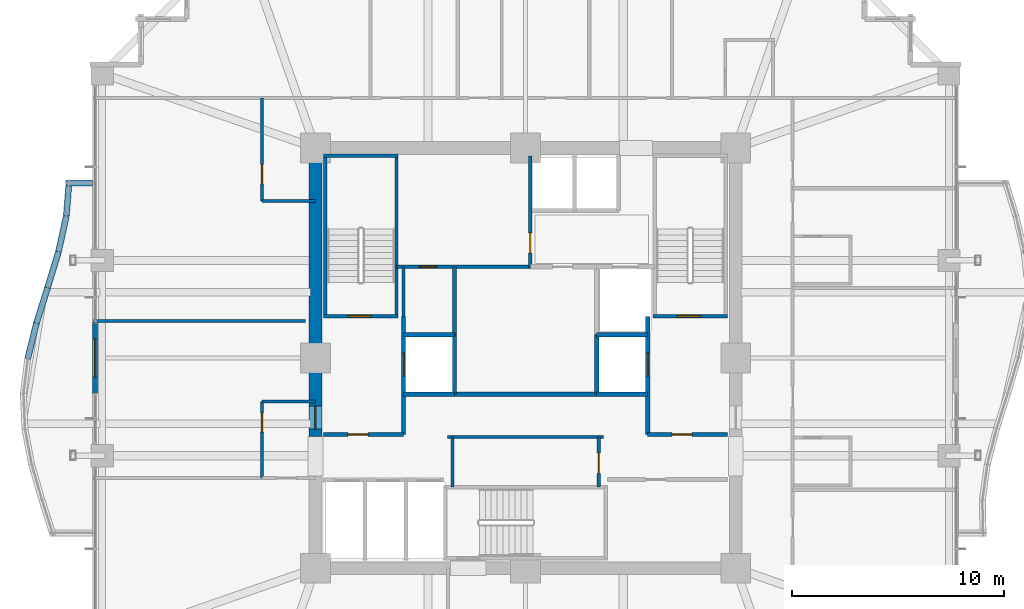
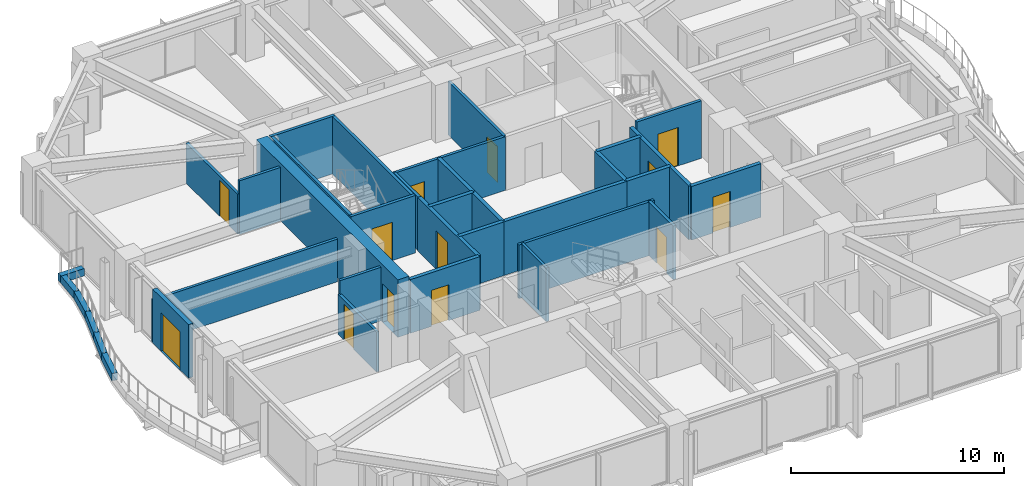
# One storey, part 32 of 37: 36 walls, 13 doors, 13 openings.
"""IFC4 building model written with IfcOpenShell, lengths in metres."""

from ifc_helpers import new_model, si_unit, direction, frame, frame_2d, origin, place, context, subcontext, project, spatial, rectangle, extrude, material, layer, layer_set, type_object, element, fill, save


model = new_model("IFC4")

# Units and contexts
model_context = context("Model", 3, precision=1e-05, world=origin(), true_north=direction((0.0, 1.0)))
body_context = subcontext(model_context, "Body", "Model", "MODEL_VIEW")
ifc_project = project(units=[si_unit("LENGTHUNIT", "METRE"), si_unit("AREAUNIT", "SQUARE_METRE"), si_unit("VOLUMEUNIT", "CUBIC_METRE"), si_unit("PLANEANGLEUNIT", "RADIAN"), si_unit("MASSUNIT", "GRAM", prefix="KILO")], contexts=[model_context])

# Site, building, storey
site_placement = place(None, origin())
site = spatial("IfcSite", under=ifc_project, at=site_placement, CompositionType="ELEMENT")
building_placement = place(site_placement, origin())
building = spatial("IfcBuilding", under=site, at=building_placement, Name="Kolvaren Belvedere", CompositionType="ELEMENT")
storey_placement = place(building_placement, frame((0.0, 0.0, 75.5)))
storey = spatial("IfcBuildingStorey", under=building, at=storey_placement, Name="L21", CompositionType="ELEMENT", Elevation=75.5)

# Wall, opening, door
ifc_material_1 = material(Name="Concrete C60/75", Category="concrete")
ifc_layer_1 = layer(ifc_material_1, 0.60009765625)
ifc_layer_set_1 = layer_set([ifc_layer_1], Name="Concrete C60/75")
wall_type_1 = type_object("IfcWallType", Name="CW-CORE-600", PredefinedType="SHEAR", material=ifc_layer_set_1)
wall_1_placement = place(storey_placement, frame((-9.89990234375, -3.699951171875, 0.0), z_axis=(0.0, 0.0, 1.0), x_axis=(0.0, 1.0, 0.0)))
wall_1 = element("IfcWall", 1, at=wall_1_placement, inside=storey, type_object=wall_type_1, Name="L21 West Core Shear Wall 2", PredefinedType="SHEAR", context=body_context, shape_type="SweptSolid", body=[
    extrude(rectangle(XDim=13.300048828125, YDim=0.60009765625, at=frame_2d((6.64990234375, 0.0))), origin(), (0.0, 0.0, 1.0), 3.300048828125),
])
opening_1_placement = place(wall_1_placement, frame((0.35009765625, 0.0, 0.0)))
opening_1 = element("IfcOpeningElement", 2, at=opening_1_placement, cuts=wall_1, Name="Opening D-FD90", PredefinedType="OPENING", context=body_context, shape_type="SweptSolid", body=[
    extrude(rectangle(XDim=1.10009765625, YDim=2.199951171875, at=frame_2d((0.550048828125, 1.10009765625))), frame((0.0, 0.31005859375, 0.0), z_axis=(0.0, -1.0, 0.0), x_axis=(1.0, 0.0, 0.0)), (0.0, 0.0, 1.0), 0.6201171875),
])
ifc_material_2 = material(Name="Painted hollow stainless steel", Category="steel")
door_type_1 = type_object("IfcDoorType", Name="DR-FD90-1100", OperationType="NOTDEFINED", PredefinedType="DOOR", material=ifc_material_2)
door_1_placement = place(opening_1_placement, origin())
door_1 = element("IfcDoor", 3, at=door_1_placement, inside=storey, type_object=door_type_1, Name="L21 West Firefighting Lobby Fire Door", OperationType="SINGLE_SWING_LEFT", OverallHeight=2.199951171875, OverallWidth=1.10009765625, PredefinedType="DOOR", context=body_context, shape_type="SweptSolid", body=[
    extrude(rectangle(XDim=1.10009765625, YDim=2.199951171875, at=frame_2d((0.550048828125, 1.10009765625))), frame((0.0, 0.02490234375, 0.0), z_axis=(0.0, -1.0, 0.0), x_axis=(1.0, 0.0, 0.0)), (0.0, 0.0, 1.0), 0.050048828125),
])
fill(opening_1, door_1)

ifc_material_3 = material(Name="Concrete C50/60", Category="concrete")
ifc_layer_2 = layer(ifc_material_3, 0.159912109375)
ifc_layer_set_2 = layer_set([ifc_layer_2], Name="Concrete C50/60")
wall_type_2 = type_object("IfcWallType", Name="CW-STAIR-160", PredefinedType="SHEAR", material=ifc_layer_set_2)
wall_2_placement = place(storey_placement, frame((-9.52001953125, 1.969970703125, 0.0), z_axis=(0.0, 0.0, 1.0), x_axis=(1.0, 0.0, 0.0)))
wall_2 = element("IfcWall", 4, at=wall_2_placement, inside=storey, type_object=wall_type_2, Name="L21 Stair ST-1 South Shear Wall", PredefinedType="SHEAR", context=body_context, shape_type="SweptSolid", body=[
    extrude(rectangle(XDim=3.52001953125, YDim=0.159912109375, at=frame_2d((1.760009765625, 0.0))), origin(), (0.0, 0.0, 1.0), 3.300048828125),
])
opening_2_placement = place(wall_2_placement, frame((1.14990234375, 0.0, 0.0)))
opening_2 = element("IfcOpeningElement", 5, at=opening_2_placement, cuts=wall_2, Name="Opening D-FD90", PredefinedType="OPENING", context=body_context, shape_type="SweptSolid", body=[
    extrude(rectangle(XDim=1.10009765625, YDim=2.199951171875, at=frame_2d((0.550048828125, 1.10009765625))), frame((0.0, 0.08984375, 0.0), z_axis=(0.0, -1.0, 0.0), x_axis=(1.0, 0.0, 0.0)), (0.0, 0.0, 1.0), 0.179931640625),
])
door_2_placement = place(opening_2_placement, origin())
door_2 = element("IfcDoor", 6, at=door_2_placement, inside=storey, type_object=door_type_1, Name="L21 Stair ST-1 Fire Door", OperationType="SINGLE_SWING_LEFT", OverallHeight=2.199951171875, OverallWidth=1.10009765625, PredefinedType="DOOR", context=body_context, shape_type="SweptSolid", body=[
    extrude(rectangle(XDim=1.10009765625, YDim=2.199951171875, at=frame_2d((0.550048828125, 1.10009765625))), frame((0.0, 0.02490234375, 0.0), z_axis=(0.0, -1.0, 0.0), x_axis=(1.0, 0.0, 0.0)), (0.0, 0.0, 1.0), 0.050048828125),
])
fill(opening_2, door_2)

# Walls
wall_3_placement = place(storey_placement, frame((-9.52001953125, 9.530029296875, 0.0), z_axis=(0.0, 0.0, 1.0), x_axis=(1.0, 0.0, 0.0)))
element("IfcWall", 7, at=wall_3_placement, inside=storey, type_object=wall_type_2, Name="L21 Stair ST-1 North Shear Wall", PredefinedType="SHEAR", context=body_context, shape_type="SweptSolid", body=[
    extrude(rectangle(XDim=3.52001953125, YDim=0.159912109375, at=frame_2d((1.760009765625, 0.0))), origin(), (0.0, 0.0, 1.0), 3.300048828125),
])
for number, where, z_axis, x_axis, name in (
    (8, (-9.429931640625, 1.969970703125, 0.0), (0.0, 0.0, 1.0), (0.0, 1.0, 0.0), "L21 Stair ST-1 West Shear Wall"),
    (9, (-6.080078125, 1.969970703125, 0.0), (0.0, 0.0, 1.0), (0.0, 1.0, 0.0), "L21 Stair ST-1 East Shear Wall"),
):
    element("IfcWall", number, at=place(storey_placement, frame(where, z_axis=z_axis, x_axis=x_axis)), inside=storey, type_object=wall_type_2, Name=name, PredefinedType="SHEAR", context=body_context, shape_type="SweptSolid", body=[
        extrude(rectangle(XDim=7.56005859375, YDim=0.159912109375, at=frame_2d((3.780029296875, 0.0))), origin(), (0.0, 0.0, 1.0), 3.300048828125),
    ])

# Wall, opening, door
wall_4_placement = place(storey_placement, frame((6.0, 1.969970703125, 0.0), z_axis=(0.0, 0.0, 1.0), x_axis=(1.0, 0.0, 0.0)))
wall_4 = element("IfcWall", 10, at=wall_4_placement, inside=storey, type_object=wall_type_2, Name="L21 Stair ST-2 South Shear Wall", PredefinedType="SHEAR", context=body_context, shape_type="SweptSolid", body=[
    extrude(rectangle(XDim=3.52001953125, YDim=0.159912109375, at=frame_2d((1.760009765625, 0.0))), origin(), (0.0, 0.0, 1.0), 3.300048828125),
])
opening_3_placement = place(wall_4_placement, frame((1.14990234375, 0.0, 0.0)))
opening_3 = element("IfcOpeningElement", 11, at=opening_3_placement, cuts=wall_4, Name="Opening D-FD90", PredefinedType="OPENING", context=body_context, shape_type="SweptSolid", body=[
    extrude(rectangle(XDim=1.10009765625, YDim=2.199951171875, at=frame_2d((0.550048828125, 1.10009765625))), frame((0.0, 0.08984375, 0.0), z_axis=(0.0, -1.0, 0.0), x_axis=(1.0, 0.0, 0.0)), (0.0, 0.0, 1.0), 0.179931640625),
])
door_3_placement = place(opening_3_placement, origin())
door_3 = element("IfcDoor", 12, at=door_3_placement, inside=storey, type_object=door_type_1, Name="L21 Stair ST-2 Fire Door", OperationType="SINGLE_SWING_RIGHT", OverallHeight=2.199951171875, OverallWidth=1.10009765625, PredefinedType="DOOR", context=body_context, shape_type="SweptSolid", body=[
    extrude(rectangle(XDim=1.10009765625, YDim=2.199951171875, at=frame_2d((0.550048828125, 1.10009765625))), frame((0.0, 0.02490234375, 0.0), z_axis=(0.0, -1.0, 0.0), x_axis=(1.0, 0.0, 0.0)), (0.0, 0.0, 1.0), 0.050048828125),
])
fill(opening_3, door_3)

ifc_material_4 = material(Name="Gypsum fire-rated partition assembly", Category="gypsum")
ifc_layer_3 = layer(ifc_material_4, 0.14990234375)
ifc_layer_set_3 = layer_set([ifc_layer_3], Name="Gypsum fire-rated partition assembly")
wall_type_3 = type_object("IfcWallType", Name="WL-CORR-150", PredefinedType="PARTITIONING", material=ifc_layer_set_3)
wall_5_placement = place(storey_placement, frame((-12.419921875, 7.39990234375, 0.0), z_axis=(0.0, 0.0, 1.0), x_axis=(0.0, 1.0, 0.0)))
wall_5 = element("IfcWall", 13, at=wall_5_placement, inside=storey, type_object=wall_type_3, Name="L21 NW Corridor End Wall", PredefinedType="PARTITIONING", context=body_context, shape_type="SweptSolid", body=[
    extrude(rectangle(XDim=4.860107421875, YDim=0.14990234375, at=frame_2d((2.43017578125, 0.0))), origin(), (0.0, 0.0, 1.0), 2.2919921875),
])
opening_4_placement = place(wall_5_placement, frame((0.810302734375, 0.0, 0.0)))
opening_4 = element("IfcOpeningElement", 14, at=opening_4_placement, cuts=wall_5, Name="Opening D-INT90", PredefinedType="OPENING", context=body_context, shape_type="SweptSolid", body=[
    extrude(rectangle(XDim=0.89990234375, YDim=2.06005859375, at=frame_2d((0.449951171875, 1.030029296875))), frame((0.0, 0.0849609375, 0.0), z_axis=(0.0, -1.0, 0.0), x_axis=(1.0, 0.0, 0.0)), (0.0, 0.0, 1.0), 0.169921875),
])
ifc_material_5 = material(Name="Stained Pacific white oak", Category="timber")
door_type_2 = type_object("IfcDoorType", Name="DR-INT-900", OperationType="NOTDEFINED", PredefinedType="DOOR", material=ifc_material_5)
door_4_placement = place(opening_4_placement, origin())
door_4 = element("IfcDoor", 15, at=door_4_placement, inside=storey, type_object=door_type_2, Name="L21 Lounge 2109 Door", OperationType="SINGLE_SWING_LEFT", OverallHeight=2.06005859375, OverallWidth=0.89990234375, PredefinedType="DOOR", context=body_context, shape_type="SweptSolid", body=[
    extrude(rectangle(XDim=0.89990234375, YDim=2.06005859375, at=frame_2d((0.449951171875, 1.030029296875))), frame((0.0, 0.02490234375, 0.0), z_axis=(0.0, -1.0, 0.0), x_axis=(1.0, 0.0, 0.0)), (0.0, 0.0, 1.0), 0.050048828125),
])
fill(opening_4, door_4)

# Wall
wall_6_placement = place(storey_placement, frame((-12.419921875, 7.39990234375, 0.0), z_axis=(0.0, 0.0, 1.0), x_axis=(1.0, 0.0, 0.0)))
element("IfcWall", 16, at=wall_6_placement, inside=storey, type_object=wall_type_3, Name="L21 NW Core Closure Wall", PredefinedType="PARTITIONING", context=body_context, shape_type="SweptSolid", body=[
    extrude(rectangle(XDim=2.52001953125, YDim=0.14990234375, at=frame_2d((1.260009765625, 0.0))), origin(), (0.0, 0.0, 1.0), 3.080078125),
])

# Wall, opening, door
wall_7_placement = place(storey_placement, frame((-12.419921875, -5.64990234375, 0.0), z_axis=(0.0, 0.0, 1.0), x_axis=(0.0, 1.0, 0.0)))
wall_7 = element("IfcWall", 17, at=wall_7_placement, inside=storey, type_object=wall_type_3, Name="L21 West FSAE Pocket Wall", PredefinedType="PARTITIONING", context=body_context, shape_type="SweptSolid", body=[
    extrude(rectangle(XDim=3.599853515625, YDim=0.14990234375, at=frame_2d((1.7998046875, 0.0))), origin(), (0.0, 0.0, 1.0), 2.2919921875),
])
opening_5_placement = place(wall_7_placement, frame((2.15625, 0.0, 0.0)))
opening_5 = element("IfcOpeningElement", 18, at=opening_5_placement, cuts=wall_7, Name="Opening D-INT90", PredefinedType="OPENING", context=body_context, shape_type="SweptSolid", body=[
    extrude(rectangle(XDim=0.89990234375, YDim=2.06005859375, at=frame_2d((0.449951171875, 1.030029296875))), frame((0.0, 0.0849609375, 0.0), z_axis=(0.0, -1.0, 0.0), x_axis=(1.0, 0.0, 0.0)), (0.0, 0.0, 1.0), 0.169921875),
])
door_5_placement = place(opening_5_placement, origin())
door_5 = element("IfcDoor", 19, at=door_5_placement, inside=storey, type_object=door_type_2, Name="L21 Lounge 2110 Door", OperationType="SINGLE_SWING_RIGHT", OverallHeight=2.06005859375, OverallWidth=0.89990234375, PredefinedType="DOOR", context=body_context, shape_type="SweptSolid", body=[
    extrude(rectangle(XDim=0.89990234375, YDim=2.06005859375, at=frame_2d((0.449951171875, 1.030029296875))), frame((0.0, 0.02490234375, 0.0), z_axis=(0.0, -1.0, 0.0), x_axis=(1.0, 0.0, 0.0)), (0.0, 0.0, 1.0), 0.050048828125),
])
fill(opening_5, door_5)

# Wall
wall_8_placement = place(storey_placement, frame((-12.419921875, -2.050048828125, 0.0), z_axis=(0.0, 0.0, 1.0), x_axis=(1.0, 0.0, 0.0)))
element("IfcWall", 20, at=wall_8_placement, inside=storey, type_object=wall_type_3, Name="L21 West Pocket North Closure Wall", PredefinedType="PARTITIONING", context=body_context, shape_type="SweptSolid", body=[
    extrude(rectangle(XDim=2.52001953125, YDim=0.14990234375, at=frame_2d((1.260009765625, 0.0))), origin(), (0.0, 0.0, 1.0), 3.080078125),
])

# Wall, opening, door
ifc_material_6 = material(Name="Insulated pale-metal facade wall assembly", Category="aluminium")
ifc_layer_4 = layer(ifc_material_6, 0.239990234375)
ifc_layer_set_4 = layer_set([ifc_layer_4], Name="Insulated pale-metal facade wall assembly")
wall_type_4 = type_object("IfcWallType", Name="WL-EXT-240", PredefinedType="STANDARD", material=ifc_layer_set_4)
wall_9_placement = place(storey_placement, frame((-20.280029296875, -1.679931640625, 0.0), z_axis=(0.0, 0.0, 1.0), x_axis=(0.0, 1.0, 0.0)))
wall_9 = element("IfcWall", 21, at=wall_9_placement, inside=storey, type_object=wall_type_4, Name="L21 West Terrace Portal Wall", PredefinedType="STANDARD", context=body_context, shape_type="SweptSolid", body=[
    extrude(rectangle(XDim=3.35986328125, YDim=0.239990234375, at=frame_2d((1.679931640625, 0.0))), origin(), (0.0, 0.0, 1.0), 3.080078125),
])
opening_6_placement = place(wall_9_placement, frame((0.780029296875, 0.0, 0.0)))
opening_6 = element("IfcOpeningElement", 22, at=opening_6_placement, cuts=wall_9, Name="Opening DB-1800", PredefinedType="OPENING", context=body_context, shape_type="SweptSolid", body=[
    extrude(rectangle(XDim=1.800048828125, YDim=2.199951171875, at=frame_2d((0.89990234375, 1.10009765625))), frame((0.0, 0.1298828125, 0.0), z_axis=(0.0, -1.0, 0.0), x_axis=(1.0, 0.0, 0.0)), (0.0, 0.0, 1.0), 0.260009765625),
])
ifc_material_7 = material(Name="Thermally broken pale-metal aluminium & low-iron glass", Category="aluminium")
door_type_3 = type_object("IfcDoorType", Name="DR-BAL-1800", OperationType="DOUBLE_DOOR_SLIDING", PredefinedType="DOOR", material=ifc_material_7)
door_6_placement = place(opening_6_placement, origin())
door_6 = element("IfcDoor", 23, at=door_6_placement, inside=storey, type_object=door_type_3, Name="L21 West Planted Terrace Sliding Door", OperationType="DOUBLE_DOOR_SLIDING", OverallHeight=2.199951171875, OverallWidth=1.800048828125, PredefinedType="DOOR", context=body_context, shape_type="SweptSolid", body=[
    extrude(rectangle(XDim=1.800048828125, YDim=2.199951171875, at=frame_2d((0.89990234375, 1.10009765625))), frame((0.0, 0.02490234375, 0.0), z_axis=(0.0, -1.0, 0.0), x_axis=(1.0, 0.0, 0.0)), (0.0, 0.0, 1.0), 0.050048828125),
])
fill(opening_6, door_6)

ifc_material_8 = material(Name="Gypsum acoustic partition assembly", Category="gypsum")
ifc_layer_5 = layer(ifc_material_8, 0.14990234375)
ifc_layer_set_5 = layer_set([ifc_layer_5], Name="Gypsum acoustic partition assembly")
wall_type_5 = type_object("IfcWallType", Name="WL-PART-150", PredefinedType="PARTITIONING", material=ifc_layer_set_5)
wall_10_placement = place(storey_placement, frame((-6.080078125, 4.300048828125, 0.0), z_axis=(0.0, 0.0, 1.0), x_axis=(1.0, 0.0, 0.0)))
wall_10 = element("IfcWall", 24, at=wall_10_placement, inside=storey, type_object=wall_type_5, Name="L21 Reclaimed Salon South Wall", PredefinedType="PARTITIONING", context=body_context, shape_type="SweptSolid", body=[
    extrude(rectangle(XDim=6.300048828125, YDim=0.14990234375, at=frame_2d((3.14990234375, 0.0))), origin(), (0.0, 0.0, 1.0), 3.080078125),
])
opening_7_placement = place(wall_10_placement, frame((1.050048828125, 0.0, 0.0)))
opening_7 = element("IfcOpeningElement", 25, at=opening_7_placement, cuts=wall_10, Name="Opening D-INT85", PredefinedType="OPENING", context=body_context, shape_type="SweptSolid", body=[
    extrude(rectangle(XDim=0.85009765625, YDim=2.030029296875, at=frame_2d((0.425048828125, 1.01513671875))), frame((0.0, 0.0849609375, 0.0), z_axis=(0.0, -1.0, 0.0), x_axis=(1.0, 0.0, 0.0)), (0.0, 0.0, 1.0), 0.169921875),
])
ifc_material_9 = material(Name="Stained Pacific white oak", Category="timber")
door_type_4 = type_object("IfcDoorType", Name="DR-INT-850", OperationType="NOTDEFINED", PredefinedType="DOOR", material=ifc_material_9)
door_7_placement = place(opening_7_placement, origin())
door_7 = element("IfcDoor", 26, at=door_7_placement, inside=storey, type_object=door_type_4, Name="L21 NW Core Store Door", OperationType="SINGLE_SWING_RIGHT", OverallHeight=2.030029296875, OverallWidth=0.85009765625, PredefinedType="DOOR", context=body_context, shape_type="SweptSolid", body=[
    extrude(rectangle(XDim=0.85009765625, YDim=2.030029296875, at=frame_2d((0.425048828125, 1.01513671875))), frame((0.0, 0.02490234375, 0.0), z_axis=(0.0, -1.0, 0.0), x_axis=(1.0, 0.0, 0.0)), (0.0, 0.0, 1.0), 0.050048828125),
])
fill(opening_7, door_7)

wall_11_placement = place(storey_placement, frame((0.219970703125, 4.300048828125, 0.0), z_axis=(0.0, 0.0, 1.0), x_axis=(0.0, 1.0, 0.0)))
wall_11 = element("IfcWall", 27, at=wall_11_placement, inside=storey, type_object=wall_type_5, Name="L21 Reclaimed Salon East Wall", PredefinedType="PARTITIONING", context=body_context, shape_type="SweptSolid", body=[
    extrude(rectangle(XDim=5.219970703125, YDim=0.14990234375, at=frame_2d((2.60986328125, 0.0))), origin(), (0.0, 0.0, 1.0), 3.080078125),
])
opening_8_placement = place(wall_11_placement, frame((0.64990234375, 0.0, 0.0)))
opening_8 = element("IfcOpeningElement", 28, at=opening_8_placement, cuts=wall_11, Name="Opening D-INT95", PredefinedType="OPENING", context=body_context, shape_type="SweptSolid", body=[
    extrude(rectangle(XDim=0.949951171875, YDim=2.06005859375, at=frame_2d((0.47509765625, 1.030029296875))), frame((0.0, 0.0849609375, 0.0), z_axis=(0.0, -1.0, 0.0), x_axis=(1.0, 0.0, 0.0)), (0.0, 0.0, 1.0), 0.169921875),
])
ifc_material_10 = material(Name="Stained Pacific white oak", Category="timber")
door_type_5 = type_object("IfcDoorType", Name="DR-INT-950", OperationType="NOTDEFINED", PredefinedType="DOOR", material=ifc_material_10)
door_8_placement = place(opening_8_placement, origin())
door_8 = element("IfcDoor", 29, at=door_8_placement, inside=storey, type_object=door_type_5, Name="L21 Botanical Reading Salon Door", OperationType="SINGLE_SWING_LEFT", OverallHeight=2.06005859375, OverallWidth=0.949951171875, PredefinedType="DOOR", context=body_context, shape_type="SweptSolid", body=[
    extrude(rectangle(XDim=0.949951171875, YDim=2.06005859375, at=frame_2d((0.47509765625, 1.030029296875))), frame((0.0, 0.02490234375, 0.0), z_axis=(0.0, -1.0, 0.0), x_axis=(1.0, 0.0, 0.0)), (0.0, 0.0, 1.0), 0.050048828125),
])
fill(opening_8, door_8)

# Wall
wall_12_placement = place(storey_placement, frame((-3.679931640625, -3.719970703125, 0.0), z_axis=(0.0, 0.0, 1.0), x_axis=(1.0, 0.0, 0.0)))
element("IfcWall", 30, at=wall_12_placement, inside=storey, type_object=wall_type_5, Name="L21 South Core Service North Wall", PredefinedType="PARTITIONING", context=body_context, shape_type="SweptSolid", body=[
    extrude(rectangle(XDim=7.35986328125, YDim=0.14990234375, at=frame_2d((3.679931640625, 0.0))), origin(), (0.0, 0.0, 1.0), 3.080078125),
])

# Wall, opening, door
wall_13_placement = place(storey_placement, frame((3.449951171875, -6.080078125, 0.0), z_axis=(0.0, 0.0, 1.0), x_axis=(0.0, 1.0, 0.0)))
wall_13 = element("IfcWall", 31, at=wall_13_placement, inside=storey, type_object=wall_type_5, Name="L21 South Core Service East Wall", PredefinedType="PARTITIONING", context=body_context, shape_type="SweptSolid", body=[
    extrude(rectangle(XDim=2.360107421875, YDim=0.14990234375, at=frame_2d((1.18017578125, 0.0))), origin(), (0.0, 0.0, 1.0), 3.080078125),
])
opening_9_placement = place(wall_13_placement, frame((0.64990234375, 0.0, 0.0)))
opening_9 = element("IfcOpeningElement", 32, at=opening_9_placement, cuts=wall_13, Name="Opening D-FD60", PredefinedType="OPENING", context=body_context, shape_type="SweptSolid", body=[
    extrude(rectangle(XDim=0.949951171875, YDim=2.06005859375, at=frame_2d((0.47509765625, 1.030029296875))), frame((0.0, 0.0849609375, 0.0), z_axis=(0.0, -1.0, 0.0), x_axis=(1.0, 0.0, 0.0)), (0.0, 0.0, 1.0), 0.169921875),
])
ifc_material_11 = material(Name="Acoustic white-oak fire door leaf", Category="timber")
door_type_6 = type_object("IfcDoorType", Name="DR-FD60-950", OperationType="NOTDEFINED", PredefinedType="DOOR", material=ifc_material_11)
door_9_placement = place(opening_9_placement, origin())
door_9 = element("IfcDoor", 33, at=door_9_placement, inside=storey, type_object=door_type_6, Name="L21 Core Service Room Door", OperationType="SINGLE_SWING_LEFT", OverallHeight=2.06005859375, OverallWidth=0.949951171875, PredefinedType="DOOR", context=body_context, shape_type="SweptSolid", body=[
    extrude(rectangle(XDim=0.949951171875, YDim=2.06005859375, at=frame_2d((0.47509765625, 1.030029296875))), frame((0.0, 0.02490234375, 0.0), z_axis=(0.0, -1.0, 0.0), x_axis=(1.0, 0.0, 0.0)), (0.0, 0.0, 1.0), 0.050048828125),
])
fill(opening_9, door_9)

# Walls
wall_14_placement = place(storey_placement, frame((-3.449951171875, -6.080078125, 0.0), z_axis=(0.0, 0.0, 1.0), x_axis=(0.0, 1.0, 0.0)))
element("IfcWall", 34, at=wall_14_placement, inside=storey, type_object=wall_type_5, Name="L21 South Core Service West Wall", PredefinedType="PARTITIONING", context=body_context, shape_type="SweptSolid", body=[
    extrude(rectangle(XDim=2.360107421875, YDim=0.14990234375, at=frame_2d((1.18017578125, 0.0))), origin(), (0.0, 0.0, 1.0), 3.080078125),
])
wall_15_placement = place(storey_placement, frame((-5.75, 1.969970703125, 0.0), z_axis=(0.0, 0.0, 1.0), x_axis=(0.0, 1.0, 0.0)))
element("IfcWall", 35, at=wall_15_placement, inside=storey, type_object=wall_type_5, Name="L21 NW Service Room West Wall", PredefinedType="PARTITIONING", context=body_context, shape_type="SweptSolid", body=[
    extrude(rectangle(XDim=2.330078125, YDim=0.14990234375, at=frame_2d((1.1650390625, 0.0))), origin(), (0.0, 0.0, 1.0), 3.080078125),
])
wall_16_placement = place(storey_placement, frame((-20.3798828125, 1.75, 0.0), z_axis=(0.0, 0.0, 1.0), x_axis=(1.0, 0.0, 0.0)))
element("IfcWall", 36, at=wall_16_placement, inside=storey, type_object=wall_type_5, Name="L21 West Upper Suite Divider", PredefinedType="PARTITIONING", context=body_context, shape_type="SweptSolid", body=[
    extrude(rectangle(XDim=10.019775390625, YDim=0.14990234375, at=frame_2d((5.009765625, 0.0))), origin(), (0.0, 0.0, 1.0), 2.448974609375),
])
ifc_material_12 = material(Name="Precast concrete C40/50", Category="concrete")
ifc_layer_6 = layer(ifc_material_12, 0.300048828125)
ifc_layer_set_6 = layer_set([ifc_layer_6], Name="Precast concrete C40/50")
wall_type_6 = type_object("IfcWallType", Name="WL-PLANTER-300", PredefinedType="PARAPET", material=ifc_layer_set_6)
wall_17_placement = place(storey_placement, frame((-21.50048828125, 8.38720703125, -0.0400390625), z_axis=(0.0, 0.0, 1.0), x_axis=(-0.079244268248, -0.99685522818, 0.0)))
element("IfcWall", 37, at=wall_17_placement, inside=storey, type_object=wall_type_6, Name="L21 Precast Structural Planter Wall BAL-W-1", PredefinedType="PARAPET", context=body_context, shape_type="SweptSolid", body=[
    extrude(rectangle(XDim=1.685302734375, YDim=0.280029296875, at=frame_2d((0.8427734375, 0.0))), origin(), (0.0, 0.0, 1.0), 0.419921875),
])
wall_18_placement = place(storey_placement, frame((-21.63720703125, 6.685791015625, -0.0400390625), z_axis=(0.0, 0.0, 1.0), x_axis=(-0.213802724545, -0.976876857632, 0.0)))
element("IfcWall", 38, at=wall_18_placement, inside=storey, type_object=wall_type_6, Name="L21 Precast Structural Planter Wall BAL-W-2", PredefinedType="PARAPET", context=body_context, shape_type="SweptSolid", body=[
    extrude(rectangle(XDim=1.7197265625, YDim=0.280029296875, at=frame_2d((0.85986328125, 0.0))), origin(), (0.0, 0.0, 1.0), 0.419921875),
])
wall_19_placement = place(storey_placement, frame((-22.00830078125, 4.993408203125, -0.0400390625), z_axis=(0.0, 0.0, 1.0), x_axis=(-0.290879426191, -0.956759718748, 0.0)))
element("IfcWall", 39, at=wall_19_placement, inside=storey, type_object=wall_type_6, Name="L21 Precast Structural Planter Wall BAL-W-3", PredefinedType="PARAPET", context=body_context, shape_type="SweptSolid", body=[
    extrude(rectangle(XDim=1.755859375, YDim=0.280029296875, at=frame_2d((0.8779296875, 0.0))), origin(), (0.0, 0.0, 1.0), 0.419921875),
])
wall_20_placement = place(storey_placement, frame((-22.51953125, 3.31201171875, -0.0400390625), z_axis=(0.0, 0.0, 1.0), x_axis=(-0.299624691176, -0.954057149461, 0.0)))
element("IfcWall", 40, at=wall_20_placement, inside=storey, type_object=wall_type_6, Name="L21 Precast Structural Planter Wall BAL-W-4", PredefinedType="PARAPET", context=body_context, shape_type="SweptSolid", body=[
    extrude(rectangle(XDim=1.7607421875, YDim=0.280029296875, at=frame_2d((0.88037109375, 0.0))), origin(), (0.0, 0.0, 1.0), 0.419921875),
])
wall_21_placement = place(storey_placement, frame((-23.04443359375, 1.6416015625, -0.0400390625), z_axis=(0.0, 0.0, 1.0), x_axis=(-0.239180748277, -0.970975061293, 0.0)))
element("IfcWall", 41, at=wall_21_placement, inside=storey, type_object=wall_type_6, Name="L21 Precast Structural Planter Wall BAL-W-5", PredefinedType="PARAPET", context=body_context, shape_type="SweptSolid", body=[
    extrude(rectangle(XDim=1.730224609375, YDim=0.280029296875, at=frame_2d((0.865234375, 0.0))), origin(), (0.0, 0.0, 1.0), 0.419921875),
])
wall_22_placement = place(storey_placement, frame((-20.39990234375, 8.239990234375, -0.0400390625), z_axis=(0.0, 0.0, 1.0), x_axis=(-1.0, 0.0, 0.0)))
element("IfcWall", 42, at=wall_22_placement, inside=storey, type_object=wall_type_6, Name="L21 Precast Structural Planter Wall BAL-W-22", PredefinedType="PARAPET", context=body_context, shape_type="SweptSolid", body=[
    extrude(rectangle(XDim=1.260009765625, YDim=0.280029296875, at=frame_2d((0.6298828125, 0.0))), origin(), (0.0, 0.0, 1.0), 0.419921875),
])

# Wall, opening, door
ifc_material_13 = material(Name="Concrete C50/60", Category="concrete")
ifc_layer_7 = layer(ifc_material_13, 0.199951171875)
ifc_layer_set_7 = layer_set([ifc_layer_7], Name="Concrete C50/60")
wall_type_7 = type_object("IfcWallType", Name="WL-SHAFT-200", PredefinedType="SOLIDWALL", material=ifc_layer_set_7)
wall_23_placement = place(storey_placement, frame((-9.52001953125, -3.60009765625, 0.0), z_axis=(0.0, 0.0, 1.0), x_axis=(1.0, 0.0, 0.0)))
wall_23 = element("IfcWall", 43, at=wall_23_placement, inside=storey, type_object=wall_type_7, Name="L21 West FSAE Lobby South Wall", PredefinedType="SOLIDWALL", context=body_context, shape_type="SweptSolid", body=[
    extrude(rectangle(XDim=3.77001953125, YDim=0.199951171875, at=frame_2d((1.885009765625, 0.0))), origin(), (0.0, 0.0, 1.0), 3.080078125),
])
opening_10_placement = place(wall_23_placement, frame((1.14990234375, 0.0, 0.0)))
opening_10 = element("IfcOpeningElement", 44, at=opening_10_placement, cuts=wall_23, Name="Opening D-FD60", PredefinedType="OPENING", context=body_context, shape_type="SweptSolid", body=[
    extrude(rectangle(XDim=0.949951171875, YDim=2.06005859375, at=frame_2d((0.47509765625, 1.030029296875))), frame((0.0, 0.10986328125, 0.0), z_axis=(0.0, -1.0, 0.0), x_axis=(1.0, 0.0, 0.0)), (0.0, 0.0, 1.0), 0.219970703125),
])
door_10_placement = place(opening_10_placement, origin())
door_10 = element("IfcDoor", 45, at=door_10_placement, inside=storey, type_object=door_type_6, Name="L21 Mid-Rise Lift Lobby Fire Door", OperationType="SINGLE_SWING_LEFT", OverallHeight=2.06005859375, OverallWidth=0.949951171875, PredefinedType="DOOR", context=body_context, shape_type="SweptSolid", body=[
    extrude(rectangle(XDim=0.949951171875, YDim=2.06005859375, at=frame_2d((0.47509765625, 1.030029296875))), frame((0.0, 0.02490234375, 0.0), z_axis=(0.0, -1.0, 0.0), x_axis=(1.0, 0.0, 0.0)), (0.0, 0.0, 1.0), 0.050048828125),
])
fill(opening_10, door_10)

wall_24_placement = place(storey_placement, frame((-5.75, -3.60009765625, 0.0), z_axis=(0.0, 0.0, 1.0), x_axis=(0.0, 1.0, 0.0)))
wall_24 = element("IfcWall", 46, at=wall_24_placement, inside=storey, type_object=wall_type_7, Name="L21 FSAE FS1 Landing Wall", PredefinedType="SOLIDWALL", context=body_context, shape_type="SweptSolid", body=[
    extrude(rectangle(XDim=5.570068359375, YDim=0.199951171875, at=frame_2d((2.78515625, 0.0))), origin(), (0.0, 0.0, 1.0), 3.080078125),
])
opening_11_placement = place(wall_24_placement, frame((2.75, 0.0, 0.0)))
opening_11 = element("IfcOpeningElement", 47, at=opening_11_placement, cuts=wall_24, Name="Opening LD-11", PredefinedType="OPENING", context=body_context, shape_type="SweptSolid", body=[
    extrude(rectangle(XDim=1.10009765625, YDim=2.199951171875, at=frame_2d((0.550048828125, 1.10009765625))), frame((0.0, 0.10986328125, 0.0), z_axis=(0.0, -1.0, 0.0), x_axis=(1.0, 0.0, 0.0)), (0.0, 0.0, 1.0), 0.219970703125),
])
ifc_material_14 = material(Name="Brushed stainless steel", Category="steel")
door_type_7 = type_object("IfcDoorType", Name="DR-LIFT-1100", OperationType="DOUBLE_DOOR_SLIDING", PredefinedType="DOOR", material=ifc_material_14)
door_11_placement = place(opening_11_placement, origin())
door_11 = element("IfcDoor", 48, at=door_11_placement, inside=storey, type_object=door_type_7, Name="L21 Firefighting Lift FS1 Landing Door", OperationType="DOUBLE_DOOR_SLIDING", OverallHeight=2.199951171875, OverallWidth=1.10009765625, PredefinedType="DOOR", context=body_context, shape_type="SweptSolid", body=[
    extrude(rectangle(XDim=1.10009765625, YDim=2.199951171875, at=frame_2d((0.550048828125, 1.10009765625))), frame((0.0, 0.02490234375, 0.0), z_axis=(0.0, -1.0, 0.0), x_axis=(1.0, 0.0, 0.0)), (0.0, 0.0, 1.0), 0.050048828125),
])
fill(opening_11, door_11)

# Walls
wall_25_placement = place(storey_placement, frame((-3.35009765625, -1.699951171875, 0.0), z_axis=(0.0, 0.0, 1.0), x_axis=(0.0, 1.0, 0.0)))
element("IfcWall", 49, at=wall_25_placement, inside=storey, type_object=wall_type_7, Name="L21 FSAE FS1 Back Wall", PredefinedType="SOLIDWALL", context=body_context, shape_type="SweptSolid", body=[
    extrude(rectangle(XDim=2.800048828125, YDim=0.199951171875, at=frame_2d((1.39990234375, 0.0))), origin(), (0.0, 0.0, 1.0), 3.080078125),
])
for number, where, z_axis, x_axis, name in (
    (50, (-5.75, -1.699951171875, 0.0), (0.0, 0.0, 1.0), (1.0, 0.0, 0.0), "L21 FSAE FS1 South Wall"),
    (51, (-5.75, 1.10009765625, 0.0), (0.0, 0.0, 1.0), (1.0, 0.0, 0.0), "L21 FSAE FS1 North Wall"),
):
    element("IfcWall", number, at=place(storey_placement, frame(where, z_axis=z_axis, x_axis=x_axis)), inside=storey, type_object=wall_type_7, Name=name, PredefinedType="SOLIDWALL", context=body_context, shape_type="SweptSolid", body=[
        extrude(rectangle(XDim=2.39990234375, YDim=0.199951171875, at=frame_2d((1.199951171875, 0.0))), origin(), (0.0, 0.0, 1.0), 3.080078125),
    ])

# Wall, opening, door
wall_26_placement = place(storey_placement, frame((5.75, -3.60009765625, 0.0), z_axis=(0.0, 0.0, 1.0), x_axis=(1.0, 0.0, 0.0)))
wall_26 = element("IfcWall", 52, at=wall_26_placement, inside=storey, type_object=wall_type_7, Name="L21 East FSAE Lobby South Wall", PredefinedType="SOLIDWALL", context=body_context, shape_type="SweptSolid", body=[
    extrude(rectangle(XDim=3.77001953125, YDim=0.199951171875, at=frame_2d((1.885009765625, 0.0))), origin(), (0.0, 0.0, 1.0), 3.080078125),
])
opening_12_placement = place(wall_26_placement, frame((1.14990234375, 0.0, 0.0)))
opening_12 = element("IfcOpeningElement", 53, at=opening_12_placement, cuts=wall_26, Name="Opening D-FD60", PredefinedType="OPENING", context=body_context, shape_type="SweptSolid", body=[
    extrude(rectangle(XDim=0.949951171875, YDim=2.06005859375, at=frame_2d((0.47509765625, 1.030029296875))), frame((0.0, 0.10986328125, 0.0), z_axis=(0.0, -1.0, 0.0), x_axis=(1.0, 0.0, 0.0)), (0.0, 0.0, 1.0), 0.219970703125),
])
door_12_placement = place(opening_12_placement, origin())
door_12 = element("IfcDoor", 54, at=door_12_placement, inside=storey, type_object=door_type_6, Name="L21 SE Lift Lobby Fire Door", OperationType="SINGLE_SWING_RIGHT", OverallHeight=2.06005859375, OverallWidth=0.949951171875, PredefinedType="DOOR", context=body_context, shape_type="SweptSolid", body=[
    extrude(rectangle(XDim=0.949951171875, YDim=2.06005859375, at=frame_2d((0.47509765625, 1.030029296875))), frame((0.0, 0.02490234375, 0.0), z_axis=(0.0, -1.0, 0.0), x_axis=(1.0, 0.0, 0.0)), (0.0, 0.0, 1.0), 0.050048828125),
])
fill(opening_12, door_12)

wall_27_placement = place(storey_placement, frame((5.75, -3.60009765625, 0.0), z_axis=(0.0, 0.0, 1.0), x_axis=(0.0, 1.0, 0.0)))
wall_27 = element("IfcWall", 55, at=wall_27_placement, inside=storey, type_object=wall_type_7, Name="L21 FSAE FS2 Landing Wall", PredefinedType="SOLIDWALL", context=body_context, shape_type="SweptSolid", body=[
    extrude(rectangle(XDim=5.570068359375, YDim=0.199951171875, at=frame_2d((2.78515625, 0.0))), origin(), (0.0, 0.0, 1.0), 3.080078125),
])
opening_13_placement = place(wall_27_placement, frame((2.75, 0.0, 0.0)))
opening_13 = element("IfcOpeningElement", 56, at=opening_13_placement, cuts=wall_27, Name="Opening LD-11", PredefinedType="OPENING", context=body_context, shape_type="SweptSolid", body=[
    extrude(rectangle(XDim=1.10009765625, YDim=2.199951171875, at=frame_2d((0.550048828125, 1.10009765625))), frame((0.0, 0.10986328125, 0.0), z_axis=(0.0, -1.0, 0.0), x_axis=(1.0, 0.0, 0.0)), (0.0, 0.0, 1.0), 0.219970703125),
])
door_13_placement = place(opening_13_placement, origin())
door_13 = element("IfcDoor", 57, at=door_13_placement, inside=storey, type_object=door_type_7, Name="L21 Firefighting Lift FS2 Landing Door", OperationType="DOUBLE_DOOR_SLIDING", OverallHeight=2.199951171875, OverallWidth=1.10009765625, PredefinedType="DOOR", context=body_context, shape_type="SweptSolid", body=[
    extrude(rectangle(XDim=1.10009765625, YDim=2.199951171875, at=frame_2d((0.550048828125, 1.10009765625))), frame((0.0, 0.02490234375, 0.0), z_axis=(0.0, -1.0, 0.0), x_axis=(1.0, 0.0, 0.0)), (0.0, 0.0, 1.0), 0.050048828125),
])
fill(opening_13, door_13)

# Walls
wall_28_placement = place(storey_placement, frame((3.35009765625, -1.699951171875, 0.0), z_axis=(0.0, 0.0, 1.0), x_axis=(0.0, 1.0, 0.0)))
element("IfcWall", 58, at=wall_28_placement, inside=storey, type_object=wall_type_7, Name="L21 FSAE FS2 Back Wall", PredefinedType="SOLIDWALL", context=body_context, shape_type="SweptSolid", body=[
    extrude(rectangle(XDim=2.800048828125, YDim=0.199951171875, at=frame_2d((1.39990234375, 0.0))), origin(), (0.0, 0.0, 1.0), 3.080078125),
])
for number, where, z_axis, x_axis, name in (
    (59, (3.35009765625, -1.699951171875, 0.0), (0.0, 0.0, 1.0), (1.0, 0.0, 0.0), "L21 FSAE FS2 South Wall"),
    (60, (3.35009765625, 1.10009765625, 0.0), (0.0, 0.0, 1.0), (1.0, 0.0, 0.0), "L21 FSAE FS2 North Wall"),
):
    element("IfcWall", number, at=place(storey_placement, frame(where, z_axis=z_axis, x_axis=x_axis)), inside=storey, type_object=wall_type_7, Name=name, PredefinedType="SOLIDWALL", context=body_context, shape_type="SweptSolid", body=[
        extrude(rectangle(XDim=2.39990234375, YDim=0.199951171875, at=frame_2d((1.199951171875, 0.0))), origin(), (0.0, 0.0, 1.0), 3.080078125),
    ])
wall_29_placement = place(storey_placement, frame((-3.35009765625, -1.699951171875, 0.0), z_axis=(0.0, 0.0, 1.0), x_axis=(1.0, 0.0, 0.0)))
element("IfcWall", 61, at=wall_29_placement, inside=storey, type_object=wall_type_7, Name="L21 Central Core Room South Wall", PredefinedType="SOLIDWALL", context=body_context, shape_type="SweptSolid", body=[
    extrude(rectangle(XDim=6.7001953125, YDim=0.199951171875, at=frame_2d((3.35009765625, 0.0))), origin(), (0.0, 0.0, 1.0), 3.080078125),
])
wall_30_placement = place(storey_placement, frame((-3.35009765625, 1.10009765625, 0.0), z_axis=(0.0, 0.0, 1.0), x_axis=(0.0, 1.0, 0.0)))
element("IfcWall", 62, at=wall_30_placement, inside=storey, type_object=wall_type_7, Name="L21 Central Core Room West Wall", PredefinedType="SOLIDWALL", context=body_context, shape_type="SweptSolid", body=[
    extrude(rectangle(XDim=3.199951171875, YDim=0.199951171875, at=frame_2d((1.60009765625, 0.0))), origin(), (0.0, 0.0, 1.0), 3.080078125),
])

save(model, "model.ifc")
